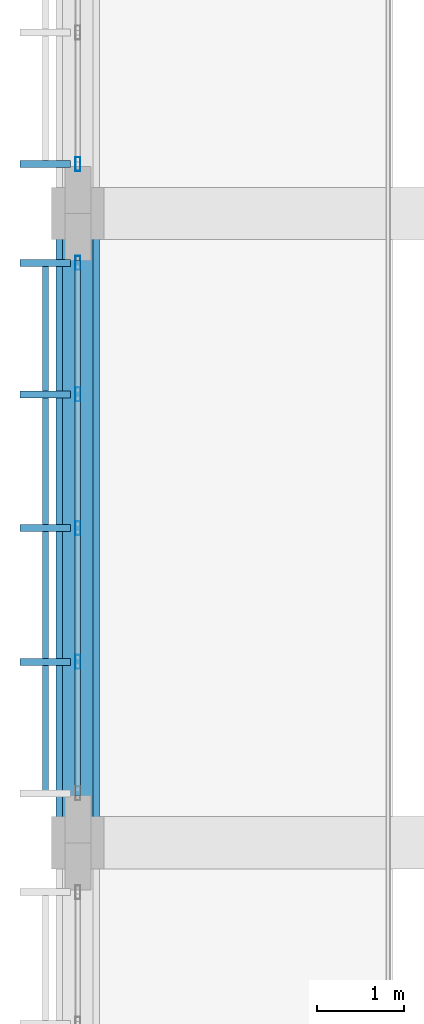
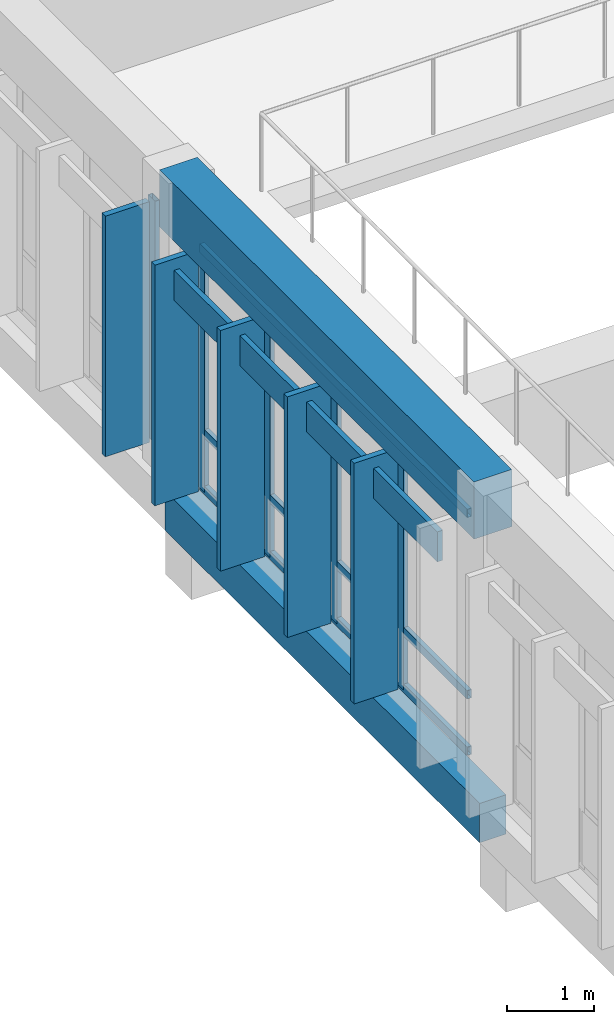
# One storey, part 19 of 182: 14 members, 2 beams, 2 elements without a shape of their own.
"""IFC4 building model written with IfcOpenShell, lengths in metres."""

import ifcopenshell
import ifcopenshell.guid

model = None  # the IFC model being written
_history = None  # IfcOwnerHistory: only IFC2X3 demands one
_inside = {}  # id of a spatial element -> (the spatial element, [elements in it])
_under = {}  # id of a project, library or spatial element -> (it, [spatial elements below it])
_declared = {}  # id of a project -> (the project, [libraries it declares])
_typed = {}  # id of a type object -> (the type object, [elements of that type])
_made_of = {}  # id of a material, layer set ... -> (it, [elements and type objects made of it])


def new_model(schema):
    """Start an empty IFC model of exactly this schema.

    Asked for "IFC4X3", IfcOpenShell would pick the latest addendum, in which some entities
    have other attributes; the version numbers below select the first issue.
    IFC2X3 requires an IfcOwnerHistory on every rooted entity: one is made here for all.
    """
    global model, _history
    if schema == "IFC4X3":
        model = ifcopenshell.file(schema_version=(4, 3, 0, 0))
    else:
        model = ifcopenshell.file(schema=schema)
    _inside.clear()
    _under.clear()
    _declared.clear()
    _typed.clear()
    _made_of.clear()
    _history = None
    if model.schema == "IFC2X3":
        org = make("IfcOrganization", Name="unknown")
        user = make(
            "IfcPersonAndOrganization",
            ThePerson=make("IfcPerson", FamilyName="unknown"),
            TheOrganization=org,
        )
        app = make(
            "IfcApplication",
            ApplicationDeveloper=org,
            Version="unknown",
            ApplicationFullName="unknown",
            ApplicationIdentifier="unknown",
        )
        _history = make(
            "IfcOwnerHistory",
            OwningUser=user,
            OwningApplication=app,
            ChangeAction="ADDED",
            CreationDate=0,
        )
    return model


def make(cls, **values):
    """One entity of the class cls with the attributes given. An attribute that is None is left unset."""
    return model.create_entity(
        cls, **{name: value for name, value in values.items() if value is not None}
    )


def rooted(cls, **values):
    """An entity with a GlobalId (a new one), such as an element, a storey or a relation."""
    return make(cls, GlobalId=ifcopenshell.guid.new(), OwnerHistory=_history, **values)


def si_unit(unit_type, name, prefix=None):
    """IfcSIUnit, for example si_unit("LENGTHUNIT", "METRE", prefix="MILLI")."""
    return make("IfcSIUnit", UnitType=unit_type, Prefix=prefix, Name=name)


def assignment(units):
    """IfcUnitAssignment: the units of a project."""
    return None if units is None else make("IfcUnitAssignment", Units=units)


def point(xyz):
    """IfcCartesianPoint."""
    return None if xyz is None else make("IfcCartesianPoint", Coordinates=xyz)


def direction(xyz):
    """IfcDirection."""
    return None if xyz is None else make("IfcDirection", DirectionRatios=xyz)


def frame(location, z_axis=None, x_axis=None):
    """IfcAxis2Placement3D, a coordinate frame: its origin and axes. An axis left out is left unset."""
    return make(
        "IfcAxis2Placement3D",
        Location=point(location),
        Axis=direction(z_axis),
        RefDirection=direction(x_axis),
    )


def frame_2d(location, x_axis=None):
    """IfcAxis2Placement2D, a coordinate frame in the plane: its origin and x axis."""
    return make(
        "IfcAxis2Placement2D", Location=point(location), RefDirection=direction(x_axis)
    )


def origin():
    """The frame at (0, 0, 0) with its axes left unset."""
    return frame((0.0, 0.0, 0.0))


def origin_2d():
    """The frame at (0, 0) in the plane with its x axis left unset."""
    return frame_2d((0.0, 0.0))


def place(relative_to, where):
    """IfcLocalPlacement: puts the frame where relative to a parent placement (None: the world)."""
    return make(
        "IfcLocalPlacement", PlacementRelTo=relative_to, RelativePlacement=where
    )


def context(
    kind, dimensions, precision=None, world=None, true_north=None, identifier=None
):
    """IfcGeometricRepresentationContext, for example the 3D "Model" context."""
    return make(
        "IfcGeometricRepresentationContext",
        ContextIdentifier=identifier,
        ContextType=kind,
        CoordinateSpaceDimension=dimensions,
        Precision=precision,
        WorldCoordinateSystem=world,
        TrueNorth=true_north,
    )


def subcontext(parent, identifier, kind, view, scale=None):
    """IfcGeometricRepresentationSubContext, for example "Body" below "Model"."""
    return make(
        "IfcGeometricRepresentationSubContext",
        ContextIdentifier=identifier,
        ContextType=kind,
        ParentContext=parent,
        TargetScale=scale,
        TargetView=view,
    )


def project(units=None, contexts=None):
    """IfcProject with its units and contexts."""
    return rooted(
        "IfcProject",
        Name="project",
        RepresentationContexts=contexts,
        UnitsInContext=assignment(units),
    )


def spatial(cls, under=None, at=None, **own):
    """A site, building, storey or space (cls), placed at a placement, below another one or the project."""
    s = rooted(cls, ObjectPlacement=at, **own)
    if under is not None:
        _under.setdefault(under.id(), (under, []))[1].append(s)
    return s


def profile(cls, at=None, kind="AREA", **sizes):
    """A parametric profile (cls). Its sizes go by their IFC names, for example OverallWidth=200.0."""
    return make(cls, ProfileType=kind, Position=at, **sizes)


def rectangle(**sizes):
    """IfcRectangleProfileDef."""
    return profile("IfcRectangleProfileDef", **sizes)


def hollow_rectangle(**sizes):
    """IfcRectangleHollowProfileDef."""
    return profile("IfcRectangleHollowProfileDef", **sizes)


def extrude(swept, where, along, depth):
    """IfcExtrudedAreaSolid: the profile swept, set in the frame where, extruded along a direction by depth."""
    return make(
        "IfcExtrudedAreaSolid",
        SweptArea=swept,
        Position=where,
        ExtrudedDirection=direction(along),
        Depth=depth,
    )


def shape(context_of_items, identifier, shape_type, items):
    """IfcShapeRepresentation: the items that make up one representation, for example the "Body"."""
    return make(
        "IfcShapeRepresentation",
        ContextOfItems=context_of_items,
        RepresentationIdentifier=identifier,
        RepresentationType=shape_type,
        Items=items,
    )


def material(Name=None, Category=None):
    """IfcMaterial."""
    return make("IfcMaterial", Name=Name, Category=Category)


def material_profile(
    of_material, cross_section, Name=None, Category=None, Priority=None
):
    """IfcMaterialProfile: a cross section and its material."""
    return make(
        "IfcMaterialProfile",
        Name=Name,
        Material=of_material,
        Profile=cross_section,
        Priority=Priority,
        Category=Category,
    )


def profile_set(profiles, Name=None, composite=None):
    """IfcMaterialProfileSet."""
    return make(
        "IfcMaterialProfileSet",
        Name=Name,
        MaterialProfiles=profiles,
        CompositeProfile=composite,
    )


def made_of(thing, what):
    """Note that an element or type object is made of a material, layer set ...; save() writes the relation."""
    if what is not None:
        _made_of.setdefault(what.id(), (what, []))[1].append(thing)
    return thing


def type_object(cls, material=None, **own):
    """A type object (cls), such as IfcWallType, which elements share."""
    return made_of(rooted(cls, **own), material)


def element(
    cls,
    number,
    at=None,
    inside=None,
    cuts=None,
    type_object=None,
    material=None,
    context=None,
    identifier="Body",
    shape_type=None,
    held_by="IfcProductDefinitionShape",
    body=None,
    shapes=None,
    **own,
):
    """One element of the class cls, such as IfcWall. Its Tag is "e" and its number.

    at: its placement. inside: the storey or other place that contains it. cuts: it is an
    opening in that element (IfcRelVoidsElement). A single representation is given by context,
    identifier, shape_type and body (its items); several are given by shapes. held_by: the class
    of the entity that holds the representations. save() writes the other relations.
    """
    e = rooted(cls, Tag="e%d" % number, ObjectPlacement=at, **own)
    if body is not None:
        shapes = [shape(context, identifier, shape_type, body)]
    if shapes is not None:
        e.Representation = make(held_by, Representations=shapes)
    if inside is not None:
        _inside.setdefault(inside.id(), (inside, []))[1].append(e)
    if cuts is not None:
        rooted(
            "IfcRelVoidsElement", RelatingBuildingElement=cuts, RelatedOpeningElement=e
        )
    if type_object is not None:
        _typed.setdefault(type_object.id(), (type_object, []))[1].append(e)
    return made_of(e, material)


def aggregate(whole, parts):
    """IfcRelAggregates: a whole, such as a stair, and the parts it consists of."""
    return rooted("IfcRelAggregates", RelatingObject=whole, RelatedObjects=parts)


def save(model, path):
    """Write the relations noted so far, then the file.

    IfcRelAggregates (storeys below a building ...), IfcRelContainedInSpatialStructure (elements
    in a storey), IfcRelDefinesByType, IfcRelAssociatesMaterial and IfcRelDeclares: one each for
    every whole, place, type object, material and project.
    """
    for whole, parts in _under.values():
        aggregate(whole, parts)
    for where, things in _inside.values():
        rooted(
            "IfcRelContainedInSpatialStructure",
            RelatedElements=things,
            RelatingStructure=where,
        )
    for kind, things in _typed.values():
        rooted("IfcRelDefinesByType", RelatedObjects=things, RelatingType=kind)
    for what, things in _made_of.values():
        rooted("IfcRelAssociatesMaterial", RelatedObjects=things, RelatingMaterial=what)
    for by, libraries in _declared.values():
        rooted("IfcRelDeclares", RelatingContext=by, RelatedDefinitions=libraries)
    model.write(path)


model = new_model("IFC4")

# Units and contexts
model_context = context("Model", 3, precision=1e-05, world=origin(), true_north=direction((0.0, 1.0)))
body_context = subcontext(model_context, "Body", "Model", "MODEL_VIEW")
ifc_project = project(units=[si_unit("LENGTHUNIT", "METRE"), si_unit("AREAUNIT", "SQUARE_METRE"), si_unit("VOLUMEUNIT", "CUBIC_METRE"), si_unit("PLANEANGLEUNIT", "RADIAN"), si_unit("MASSUNIT", "GRAM", prefix="KILO")], contexts=[model_context])

# Site, building, storey
site_placement = place(None, origin())
site = spatial("IfcSite", under=ifc_project, at=site_placement, CompositionType="ELEMENT")
building_placement = place(site_placement, origin())
building = spatial("IfcBuilding", under=site, at=building_placement, Name="Chiffa Square Polytechnic", CompositionType="ELEMENT")
storey_placement = place(building_placement, frame((0.0, 0.0, 9.60009765625)))
storey = spatial("IfcBuildingStorey", under=building, at=storey_placement, Name="L02", CompositionType="ELEMENT", Elevation=9.60009765625)

# Beams
ifc_material_1 = material(Name="Concrete C35/45", Category="concrete")
ifc_material_profile_1 = material_profile(ifc_material_1, rectangle(XDim=0.35009765625, YDim=0.550048828125, at=origin_2d()), Name="RC 350x550")
ifc_profile_set_1 = profile_set([ifc_material_profile_1], Name="Concrete C35/45")
beam_type_1 = type_object("IfcBeamType", Name="BM-RC-350X550", PredefinedType="BEAM", material=ifc_profile_set_1)
beam_1_placement = place(storey_placement, frame((0.0, 14.39990234375, -0.59521484375), z_axis=(0.0, 1.0, 0.0), x_axis=(-1.0, 0.0, 0.0)))
element("IfcBeam", 1, at=beam_1_placement, inside=storey, type_object=beam_type_1, Name="Primary floor girder BM-V3-L02-Y-0000-0144", PredefinedType="BEAM", context=body_context, shape_type="SweptSolid", body=[
    extrude(rectangle(XDim=0.35009765625, YDim=0.550048828125, at=origin_2d()), origin(), (0.0, 0.0, 1.0), 7.2001953125),
])
ifc_material_2 = material(Name="Concrete C40/50", Category="concrete")
ifc_material_profile_2 = material_profile(ifc_material_2, rectangle(XDim=0.5, YDim=0.800048828125, at=origin_2d()), Name="RC 500x800")
ifc_profile_set_2 = profile_set([ifc_material_profile_2], Name="Concrete C40/50")
beam_type_2 = type_object("IfcBeamType", Name="BM-RC-500X800", PredefinedType="BEAM", material=ifc_profile_set_2)
beam_2_placement = place(storey_placement, frame((0.0, 14.39990234375, 3.7998046875), z_axis=(0.0, 1.0, 0.0), x_axis=(-1.0, 0.0, 0.0)))
element("IfcBeam", 2, at=beam_2_placement, inside=storey, type_object=beam_type_2, Name="Lecture west eave ring beam BM-V3-EAVTIE-W3", PredefinedType="BEAM", context=body_context, shape_type="SweptSolid", body=[
    extrude(rectangle(XDim=0.5, YDim=0.800048828125, at=origin_2d()), origin(), (0.0, 0.0, 1.0), 7.2001953125),
])

# Curtain wall, member
ifc_material_3 = material(Name="Aluminium EN AW-6060 T66 and glulam shading", Category="wood")
curtain_wall_type_1 = type_object("IfcCurtainWallType", Name="CW-VERT-540X440", PredefinedType="USERDEFINED", material=ifc_material_3)
curtain_wall_1_placement = place(storey_placement, origin())
curtain_wall_1 = element("IfcCurtainWall", 3, at=curtain_wall_1_placement, inside=storey, type_object=curtain_wall_type_1, Name="Curtain wall CW-V3-L02-175", ObjectType="CURTAIN WALL", PredefinedType="USERDEFINED")
ifc_material_4 = material(Name="Aluminium EN AW-6060 T66", Category="aluminium")
ifc_material_profile_3 = material_profile(ifc_material_4, hollow_rectangle(XDim=0.06005859375, YDim=0.159912109375, WallThickness=0.00390625, at=origin_2d()), Name="ALU 60x160x4")
ifc_profile_set_3 = profile_set([ifc_material_profile_3], Name="Aluminium EN AW-6060 T66")
member_type_1 = type_object("IfcMemberType", Name="CWM-ALU-65X150", PredefinedType="MULLION", material=ifc_profile_set_3)
member_1_placement = place(storey_placement, frame((0.0, 22.1650390625, 0.0), z_axis=(0.0, 0.0, 1.0), x_axis=(1.0, 0.0, 0.0)))
member_1 = element("IfcMember", 4, at=member_1_placement, type_object=member_type_1, Name="Curtain wall mullion CW-V3-L02-175-M04", PredefinedType="MULLION", context=body_context, shape_type="SweptSolid", body=[
    extrude(hollow_rectangle(XDim=0.06005859375, YDim=0.159912109375, WallThickness=0.00390625, at=origin_2d()), origin(), (0.0, 0.0, 1.0), 3.385009765625),
])

# Curtain wall, members
curtain_wall_type_2 = type_object("IfcCurtainWallType", Name="CW-VERT-450X440", PredefinedType="USERDEFINED", material=ifc_material_3)
curtain_wall_2_placement = place(storey_placement, origin())
curtain_wall_2 = element("IfcCurtainWall", 5, at=curtain_wall_2_placement, inside=storey, type_object=curtain_wall_type_2, Name="Curtain wall CW-V3-L02-176", ObjectType="CURTAIN WALL", PredefinedType="USERDEFINED")
member_2_placement = place(storey_placement, frame((0.0, 21.034912109375, 0.0), z_axis=(0.0, 0.0, 1.0), x_axis=(1.0, 0.0, 0.0)))
member_2 = element("IfcMember", 6, at=member_2_placement, type_object=member_type_1, Name="Curtain wall mullion CW-V3-L02-176-M00", PredefinedType="MULLION", context=body_context, shape_type="SweptSolid", body=[
    extrude(hollow_rectangle(XDim=0.06005859375, YDim=0.159912109375, WallThickness=0.00390625, at=origin_2d()), origin(), (0.0, 0.0, 1.0), 3.385009765625),
])
member_3_placement = place(storey_placement, frame((0.0, 19.530029296875, 0.0), z_axis=(0.0, 0.0, 1.0), x_axis=(1.0, 0.0, 0.0)))
member_3 = element("IfcMember", 7, at=member_3_placement, type_object=member_type_1, Name="Curtain wall mullion CW-V3-L02-176-M01", PredefinedType="MULLION", context=body_context, shape_type="SweptSolid", body=[
    extrude(hollow_rectangle(XDim=0.06005859375, YDim=0.159912109375, WallThickness=0.00390625, at=origin_2d()), origin(), (0.0, 0.0, 1.0), 3.385009765625),
])
member_4_placement = place(storey_placement, frame((0.0, 18.0, 0.0), z_axis=(0.0, 0.0, 1.0), x_axis=(1.0, 0.0, 0.0)))
member_4 = element("IfcMember", 8, at=member_4_placement, type_object=member_type_1, Name="Curtain wall mullion CW-V3-L02-176-M02", PredefinedType="MULLION", context=body_context, shape_type="SweptSolid", body=[
    extrude(hollow_rectangle(XDim=0.06005859375, YDim=0.159912109375, WallThickness=0.00390625, at=origin_2d()), origin(), (0.0, 0.0, 1.0), 3.385009765625),
])
member_5_placement = place(storey_placement, frame((0.0, 16.469970703125, 0.0), z_axis=(0.0, 0.0, 1.0), x_axis=(1.0, 0.0, 0.0)))
member_5 = element("IfcMember", 9, at=member_5_placement, type_object=member_type_1, Name="Curtain wall mullion CW-V3-L02-176-M03", PredefinedType="MULLION", context=body_context, shape_type="SweptSolid", body=[
    extrude(hollow_rectangle(XDim=0.06005859375, YDim=0.159912109375, WallThickness=0.00390625, at=origin_2d()), origin(), (0.0, 0.0, 1.0), 3.385009765625),
])

# Member
ifc_material_5 = material(Name="Glulam GL28h", Category="wood")
ifc_material_profile_4 = material_profile(ifc_material_5, rectangle(XDim=0.080078125, YDim=0.580078125, at=origin_2d()), Name="GL28h 80x580")
ifc_profile_set_4 = profile_set([ifc_material_profile_4], Name="Glulam GL28h")
member_type_2 = type_object("IfcMemberType", Name="CWM-GL-80X580", PredefinedType="MULLION", material=ifc_profile_set_4)
member_6_placement = place(storey_placement, frame((-0.3720703125, 22.1650390625, 0.010009765625), z_axis=(0.0, 0.0, 1.0), x_axis=(0.0, -1.0, 0.0)))
member_6 = element("IfcMember", 10, at=member_6_placement, type_object=member_type_2, Name="Exterior glulam solar fin CW-V3-L02-175-FN04", PredefinedType="MULLION", context=body_context, shape_type="SweptSolid", body=[
    extrude(rectangle(XDim=0.080078125, YDim=0.580078125, at=origin_2d()), origin(), (0.0, 0.0, 1.0), 3.364990234375),
])

aggregate(curtain_wall_1, [member_1, member_6])

member_7_placement = place(storey_placement, frame((-0.3720703125, 21.034912109375, 0.010009765625), z_axis=(0.0, 0.0, 1.0), x_axis=(0.0, -1.0, 0.0)))
member_7 = element("IfcMember", 11, at=member_7_placement, type_object=member_type_2, Name="Exterior glulam solar fin CW-V3-L02-176-FN00", PredefinedType="MULLION", context=body_context, shape_type="SweptSolid", body=[
    extrude(rectangle(XDim=0.080078125, YDim=0.580078125, at=origin_2d()), origin(), (0.0, 0.0, 1.0), 3.364990234375),
])

member_8_placement = place(storey_placement, frame((-0.3720703125, 19.530029296875, 0.010009765625), z_axis=(0.0, 0.0, 1.0), x_axis=(0.0, -1.0, 0.0)))
member_8 = element("IfcMember", 12, at=member_8_placement, type_object=member_type_2, Name="Exterior glulam solar fin CW-V3-L02-176-FN01", PredefinedType="MULLION", context=body_context, shape_type="SweptSolid", body=[
    extrude(rectangle(XDim=0.080078125, YDim=0.580078125, at=origin_2d()), origin(), (0.0, 0.0, 1.0), 3.364990234375),
])

member_9_placement = place(storey_placement, frame((-0.3720703125, 18.0, 0.010009765625), z_axis=(0.0, 0.0, 1.0), x_axis=(0.0, -1.0, 0.0)))
member_9 = element("IfcMember", 13, at=member_9_placement, type_object=member_type_2, Name="Exterior glulam solar fin CW-V3-L02-176-FN02", PredefinedType="MULLION", context=body_context, shape_type="SweptSolid", body=[
    extrude(rectangle(XDim=0.080078125, YDim=0.580078125, at=origin_2d()), origin(), (0.0, 0.0, 1.0), 3.364990234375),
])

member_10_placement = place(storey_placement, frame((-0.3720703125, 16.469970703125, 0.010009765625), z_axis=(0.0, 0.0, 1.0), x_axis=(0.0, -1.0, 0.0)))
member_10 = element("IfcMember", 14, at=member_10_placement, type_object=member_type_2, Name="Exterior glulam solar fin CW-V3-L02-176-FN03", PredefinedType="MULLION", context=body_context, shape_type="SweptSolid", body=[
    extrude(rectangle(XDim=0.080078125, YDim=0.580078125, at=origin_2d()), origin(), (0.0, 0.0, 1.0), 3.364990234375),
])

ifc_material_profile_5 = material_profile(ifc_material_4, hollow_rectangle(XDim=0.06005859375, YDim=0.1201171875, WallThickness=0.00390625, at=origin_2d()), Name="ALU 60x120x4")
ifc_profile_set_5 = profile_set([ifc_material_profile_5], Name="Aluminium EN AW-6060 T66")
member_type_3 = type_object("IfcMemberType", Name="CWT-ALU-65X120", PredefinedType="USERDEFINED", material=ifc_profile_set_5)
member_11_placement = place(storey_placement, frame((0.0, 21.06201171875, 0.02978515625), z_axis=(0.0, -1.0, 0.0), x_axis=(1.0, 0.0, 0.0)))
member_11 = element("IfcMember", 15, at=member_11_placement, type_object=member_type_3, Name="Curtain wall transom CW-V3-L02-176-T01", ObjectType="TRANSOM", PredefinedType="USERDEFINED", context=body_context, shape_type="SweptSolid", body=[
    extrude(hollow_rectangle(XDim=0.06005859375, YDim=0.1201171875, WallThickness=0.00390625, at=origin_2d()), origin(), (0.0, 0.0, 1.0), 6.1240234375),
])

member_12_placement = place(storey_placement, frame((0.0, 21.06201171875, 0.81982421875), z_axis=(0.0, -1.0, 0.0), x_axis=(1.0, 0.0, 0.0)))
member_12 = element("IfcMember", 16, at=member_12_placement, type_object=member_type_3, Name="Curtain wall transom CW-V3-L02-176-T02", ObjectType="TRANSOM", PredefinedType="USERDEFINED", context=body_context, shape_type="SweptSolid", body=[
    extrude(hollow_rectangle(XDim=0.06005859375, YDim=0.1201171875, WallThickness=0.00390625, at=origin_2d()), origin(), (0.0, 0.0, 1.0), 6.1240234375),
])

member_13_placement = place(storey_placement, frame((0.0, 21.06201171875, 3.35498046875), z_axis=(0.0, -1.0, 0.0), x_axis=(1.0, 0.0, 0.0)))
member_13 = element("IfcMember", 17, at=member_13_placement, type_object=member_type_3, Name="Curtain wall transom CW-V3-L02-176-T03", ObjectType="TRANSOM", PredefinedType="USERDEFINED", context=body_context, shape_type="SweptSolid", body=[
    extrude(hollow_rectangle(XDim=0.06005859375, YDim=0.1201171875, WallThickness=0.00390625, at=origin_2d()), origin(), (0.0, 0.0, 1.0), 6.1240234375),
])

ifc_material_profile_6 = material_profile(ifc_material_5, rectangle(XDim=0.070068359375, YDim=0.419921875, at=origin_2d()), Name="GL28h 70x420")
ifc_profile_set_6 = profile_set([ifc_material_profile_6], Name="Glulam GL28h")
member_type_4 = type_object("IfcMemberType", Name="CWT-GL-70X420", PredefinedType="USERDEFINED", material=ifc_profile_set_6)
member_14_placement = place(storey_placement, frame((-0.3720703125, 21.034912109375, 3.0048828125), z_axis=(0.0, -1.0, 0.0), x_axis=(1.0, 0.0, 0.0)))
member_14 = element("IfcMember", 18, at=member_14_placement, type_object=member_type_4, Name="Exterior glulam brise-soleil CW-V3-L02-176-BS01", ObjectType="TRANSOM", PredefinedType="USERDEFINED", context=body_context, shape_type="SweptSolid", body=[
    extrude(rectangle(XDim=0.070068359375, YDim=0.419921875, at=origin_2d()), origin(), (0.0, 0.0, 1.0), 6.06982421875),
])

aggregate(curtain_wall_2, [member_2, member_7, member_3, member_8, member_4, member_9, member_5, member_10, member_11, member_12, member_13, member_14])

save(model, "model.ifc")
